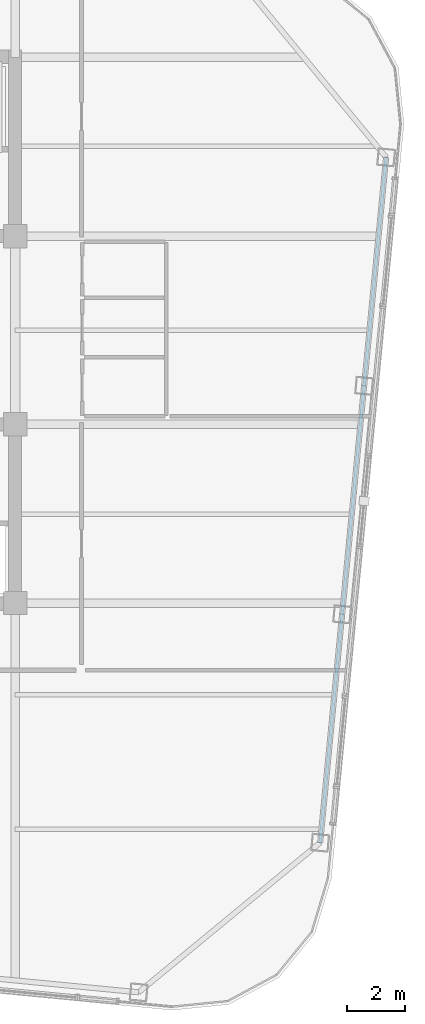
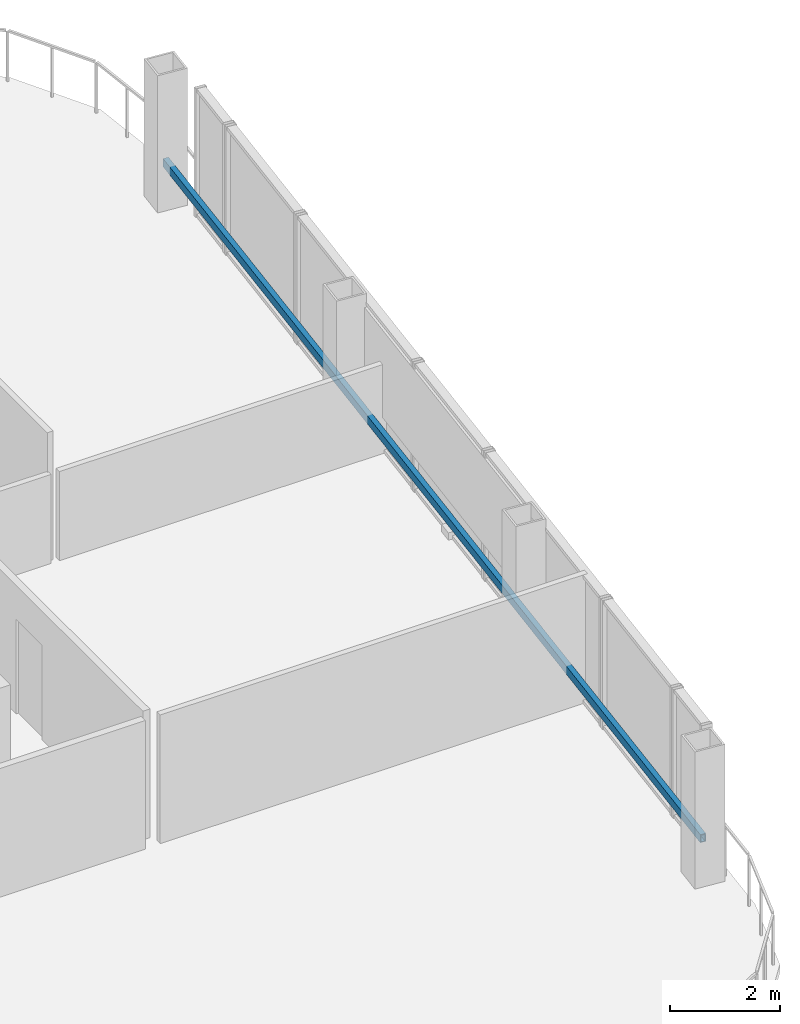
# One storey, part 14 of 26: 1 member.
"""IFC4 building model written with IfcOpenShell, lengths in metres."""

from ifc_helpers import new_model, si_unit, direction, frame, origin, origin_2d, place, context, subcontext, project, spatial, hollow_rectangle, extrude, material, material_profile, profile_set, type_object, element, save


model = new_model("IFC4")

# Units and contexts
model_context = context("Model", 3, precision=1e-05, world=origin(), true_north=direction((0.0, 1.0)))
body_context = subcontext(model_context, "Body", "Model", "MODEL_VIEW")
ifc_project = project(units=[si_unit("LENGTHUNIT", "METRE"), si_unit("AREAUNIT", "SQUARE_METRE"), si_unit("VOLUMEUNIT", "CUBIC_METRE"), si_unit("PLANEANGLEUNIT", "RADIAN"), si_unit("MASSUNIT", "GRAM", prefix="KILO")], contexts=[model_context])

# Site, building, storey
site_placement = place(None, origin())
site = spatial("IfcSite", under=ifc_project, at=site_placement, CompositionType="ELEMENT")
building_placement = place(site_placement, origin())
building = spatial("IfcBuilding", under=site, at=building_placement, Name="Qhalaya Broadcast Tower", CompositionType="ELEMENT")
storey_placement = place(building_placement, frame((0.0, 0.0, 248.949951171875)))
storey = spatial("IfcBuildingStorey", under=building, at=storey_placement, Name="L73", CompositionType="ELEMENT", Elevation=248.949951171875)

# Member
ifc_material = material(Name="Fired Architectural Terracotta", Category="masonry")
ifc_material_profile = material_profile(ifc_material, hollow_rectangle(XDim=0.110107421875, YDim=0.179931640625, WallThickness=0.01806640625, at=origin_2d()), Name="TB-BAG 110x180x18")
ifc_profile_set = profile_set([ifc_material_profile], Name="Fired Architectural Terracotta")
member_type = type_object("IfcMemberType", Name="Fired Terracotta Facade Baguette Member TB1", PredefinedType="USERDEFINED", material=ifc_profile_set)
member_placement = place(storey_placement, frame((19.82861328125, -16.962890625, 0.858154296875), z_axis=(0.095836197305, 0.995397118383, 0.0), x_axis=(-0.995397118383, 0.095836197305, 0.0)))
element("IfcMember", 1, at=member_placement, inside=storey, type_object=member_type, Name="L73 Terracotta Baguette Feature Rail E", ObjectType="BAGUETTE", PredefinedType="USERDEFINED", context=body_context, shape_type="SweptSolid", body=[
    extrude(hollow_rectangle(XDim=0.110107421875, YDim=0.179931640625, WallThickness=0.01806640625, at=origin_2d()), origin(), (0.0, 0.0, 1.0), 23.599853515625),
])

save(model, "model.ifc")
